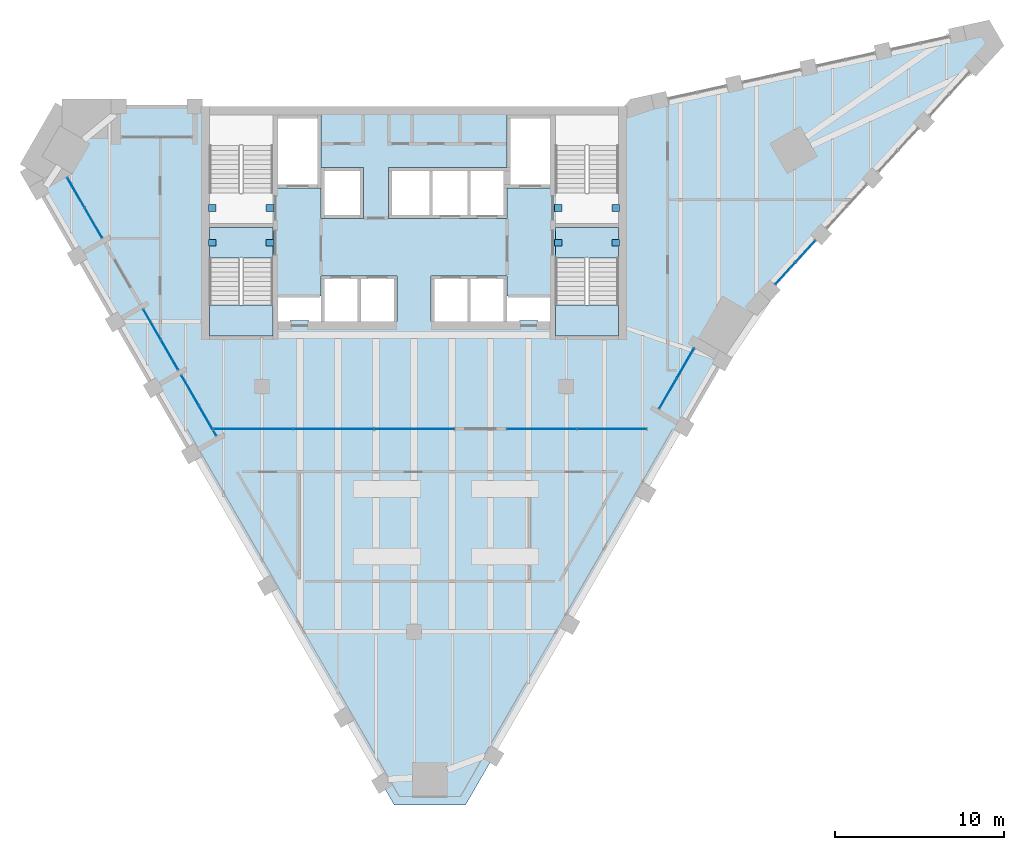
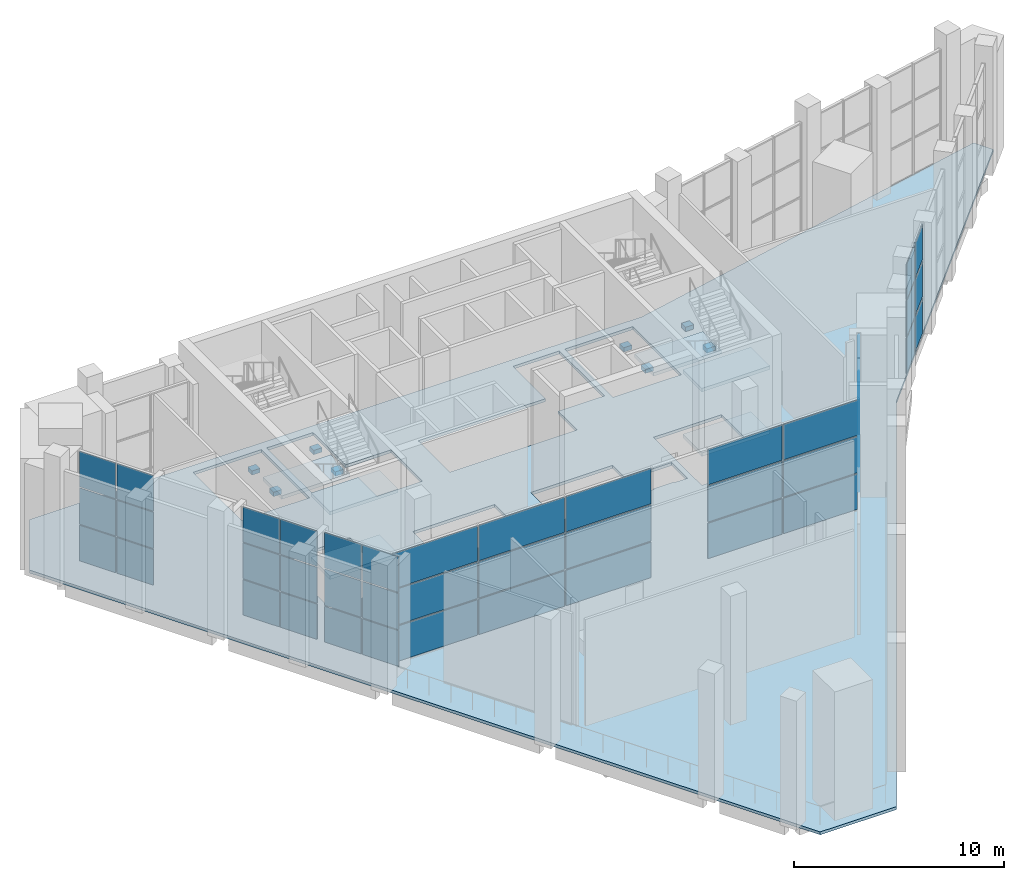
# One storey, part 7 of 14: 45 plates, 8 beams, 7 slabs, 9 elements without a shape of their own.
"""IFC4 building model written with IfcOpenShell, lengths in metres."""

import ifcopenshell
import ifcopenshell.guid

model = None  # the IFC model being written
_history = None  # IfcOwnerHistory: only IFC2X3 demands one
_inside = {}  # id of a spatial element -> (the spatial element, [elements in it])
_under = {}  # id of a project, library or spatial element -> (it, [spatial elements below it])
_declared = {}  # id of a project -> (the project, [libraries it declares])
_typed = {}  # id of a type object -> (the type object, [elements of that type])
_made_of = {}  # id of a material, layer set ... -> (it, [elements and type objects made of it])


def new_model(schema):
    """Start an empty IFC model of exactly this schema.

    Asked for "IFC4X3", IfcOpenShell would pick the latest addendum, in which some entities
    have other attributes; the version numbers below select the first issue.
    IFC2X3 requires an IfcOwnerHistory on every rooted entity: one is made here for all.
    """
    global model, _history
    if schema == "IFC4X3":
        model = ifcopenshell.file(schema_version=(4, 3, 0, 0))
    else:
        model = ifcopenshell.file(schema=schema)
    _inside.clear()
    _under.clear()
    _declared.clear()
    _typed.clear()
    _made_of.clear()
    _history = None
    if model.schema == "IFC2X3":
        org = make("IfcOrganization", Name="unknown")
        user = make(
            "IfcPersonAndOrganization",
            ThePerson=make("IfcPerson", FamilyName="unknown"),
            TheOrganization=org,
        )
        app = make(
            "IfcApplication",
            ApplicationDeveloper=org,
            Version="unknown",
            ApplicationFullName="unknown",
            ApplicationIdentifier="unknown",
        )
        _history = make(
            "IfcOwnerHistory",
            OwningUser=user,
            OwningApplication=app,
            ChangeAction="ADDED",
            CreationDate=0,
        )
    return model


def make(cls, **values):
    """One entity of the class cls with the attributes given. An attribute that is None is left unset."""
    return model.create_entity(
        cls, **{name: value for name, value in values.items() if value is not None}
    )


def rooted(cls, **values):
    """An entity with a GlobalId (a new one), such as an element, a storey or a relation."""
    return make(cls, GlobalId=ifcopenshell.guid.new(), OwnerHistory=_history, **values)


def si_unit(unit_type, name, prefix=None):
    """IfcSIUnit, for example si_unit("LENGTHUNIT", "METRE", prefix="MILLI")."""
    return make("IfcSIUnit", UnitType=unit_type, Prefix=prefix, Name=name)


def assignment(units):
    """IfcUnitAssignment: the units of a project."""
    return None if units is None else make("IfcUnitAssignment", Units=units)


def point(xyz):
    """IfcCartesianPoint."""
    return None if xyz is None else make("IfcCartesianPoint", Coordinates=xyz)


def direction(xyz):
    """IfcDirection."""
    return None if xyz is None else make("IfcDirection", DirectionRatios=xyz)


def frame(location, z_axis=None, x_axis=None):
    """IfcAxis2Placement3D, a coordinate frame: its origin and axes. An axis left out is left unset."""
    return make(
        "IfcAxis2Placement3D",
        Location=point(location),
        Axis=direction(z_axis),
        RefDirection=direction(x_axis),
    )


def frame_2d(location, x_axis=None):
    """IfcAxis2Placement2D, a coordinate frame in the plane: its origin and x axis."""
    return make(
        "IfcAxis2Placement2D", Location=point(location), RefDirection=direction(x_axis)
    )


def origin():
    """The frame at (0, 0, 0) with its axes left unset."""
    return frame((0.0, 0.0, 0.0))


def origin_2d():
    """The frame at (0, 0) in the plane with its x axis left unset."""
    return frame_2d((0.0, 0.0))


def place(relative_to, where):
    """IfcLocalPlacement: puts the frame where relative to a parent placement (None: the world)."""
    return make(
        "IfcLocalPlacement", PlacementRelTo=relative_to, RelativePlacement=where
    )


def context(
    kind, dimensions, precision=None, world=None, true_north=None, identifier=None
):
    """IfcGeometricRepresentationContext, for example the 3D "Model" context."""
    return make(
        "IfcGeometricRepresentationContext",
        ContextIdentifier=identifier,
        ContextType=kind,
        CoordinateSpaceDimension=dimensions,
        Precision=precision,
        WorldCoordinateSystem=world,
        TrueNorth=true_north,
    )


def subcontext(parent, identifier, kind, view, scale=None):
    """IfcGeometricRepresentationSubContext, for example "Body" below "Model"."""
    return make(
        "IfcGeometricRepresentationSubContext",
        ContextIdentifier=identifier,
        ContextType=kind,
        ParentContext=parent,
        TargetScale=scale,
        TargetView=view,
    )


def project(units=None, contexts=None):
    """IfcProject with its units and contexts."""
    return rooted(
        "IfcProject",
        Name="project",
        RepresentationContexts=contexts,
        UnitsInContext=assignment(units),
    )


def spatial(cls, under=None, at=None, **own):
    """A site, building, storey or space (cls), placed at a placement, below another one or the project."""
    s = rooted(cls, ObjectPlacement=at, **own)
    if under is not None:
        _under.setdefault(under.id(), (under, []))[1].append(s)
    return s


def polyline(points):
    """IfcPolyline through the points."""
    return make("IfcPolyline", Points=[point(p) for p in points])


def profile(cls, at=None, kind="AREA", **sizes):
    """A parametric profile (cls). Its sizes go by their IFC names, for example OverallWidth=200.0."""
    return make(cls, ProfileType=kind, Position=at, **sizes)


def rectangle(**sizes):
    """IfcRectangleProfileDef."""
    return profile("IfcRectangleProfileDef", **sizes)


def outline(outer, holes=None, kind="AREA"):
    """IfcArbitraryClosedProfileDef: a profile drawn as a closed curve; with holes, ...WithVoids."""
    if holes is None:
        return make("IfcArbitraryClosedProfileDef", ProfileType=kind, OuterCurve=outer)
    return make(
        "IfcArbitraryProfileDefWithVoids",
        ProfileType=kind,
        OuterCurve=outer,
        InnerCurves=holes,
    )


def extrude(swept, where, along, depth):
    """IfcExtrudedAreaSolid: the profile swept, set in the frame where, extruded along a direction by depth."""
    return make(
        "IfcExtrudedAreaSolid",
        SweptArea=swept,
        Position=where,
        ExtrudedDirection=direction(along),
        Depth=depth,
    )


def shape(context_of_items, identifier, shape_type, items):
    """IfcShapeRepresentation: the items that make up one representation, for example the "Body"."""
    return make(
        "IfcShapeRepresentation",
        ContextOfItems=context_of_items,
        RepresentationIdentifier=identifier,
        RepresentationType=shape_type,
        Items=items,
    )


def material(Name=None, Category=None):
    """IfcMaterial."""
    return make("IfcMaterial", Name=Name, Category=Category)


def layer(
    of_material, thickness, ventilated=None, Name=None, Category=None, Priority=None
):
    """IfcMaterialLayer: one layer of a wall or slab, of a material (None: an air gap)."""
    return make(
        "IfcMaterialLayer",
        Material=of_material,
        LayerThickness=thickness,
        IsVentilated=ventilated,
        Name=Name,
        Category=Category,
        Priority=Priority,
    )


def layer_set(layers, Name=None):
    """IfcMaterialLayerSet."""
    return make("IfcMaterialLayerSet", MaterialLayers=layers, LayerSetName=Name)


def material_profile(
    of_material, cross_section, Name=None, Category=None, Priority=None
):
    """IfcMaterialProfile: a cross section and its material."""
    return make(
        "IfcMaterialProfile",
        Name=Name,
        Material=of_material,
        Profile=cross_section,
        Priority=Priority,
        Category=Category,
    )


def profile_set(profiles, Name=None, composite=None):
    """IfcMaterialProfileSet."""
    return make(
        "IfcMaterialProfileSet",
        Name=Name,
        MaterialProfiles=profiles,
        CompositeProfile=composite,
    )


def made_of(thing, what):
    """Note that an element or type object is made of a material, layer set ...; save() writes the relation."""
    if what is not None:
        _made_of.setdefault(what.id(), (what, []))[1].append(thing)
    return thing


def type_object(cls, material=None, **own):
    """A type object (cls), such as IfcWallType, which elements share."""
    return made_of(rooted(cls, **own), material)


def element(
    cls,
    number,
    at=None,
    inside=None,
    cuts=None,
    type_object=None,
    material=None,
    context=None,
    identifier="Body",
    shape_type=None,
    held_by="IfcProductDefinitionShape",
    body=None,
    shapes=None,
    **own,
):
    """One element of the class cls, such as IfcWall. Its Tag is "e" and its number.

    at: its placement. inside: the storey or other place that contains it. cuts: it is an
    opening in that element (IfcRelVoidsElement). A single representation is given by context,
    identifier, shape_type and body (its items); several are given by shapes. held_by: the class
    of the entity that holds the representations. save() writes the other relations.
    """
    e = rooted(cls, Tag="e%d" % number, ObjectPlacement=at, **own)
    if body is not None:
        shapes = [shape(context, identifier, shape_type, body)]
    if shapes is not None:
        e.Representation = make(held_by, Representations=shapes)
    if inside is not None:
        _inside.setdefault(inside.id(), (inside, []))[1].append(e)
    if cuts is not None:
        rooted(
            "IfcRelVoidsElement", RelatingBuildingElement=cuts, RelatedOpeningElement=e
        )
    if type_object is not None:
        _typed.setdefault(type_object.id(), (type_object, []))[1].append(e)
    return made_of(e, material)


def aggregate(whole, parts):
    """IfcRelAggregates: a whole, such as a stair, and the parts it consists of."""
    return rooted("IfcRelAggregates", RelatingObject=whole, RelatedObjects=parts)


def save(model, path):
    """Write the relations noted so far, then the file.

    IfcRelAggregates (storeys below a building ...), IfcRelContainedInSpatialStructure (elements
    in a storey), IfcRelDefinesByType, IfcRelAssociatesMaterial and IfcRelDeclares: one each for
    every whole, place, type object, material and project.
    """
    for whole, parts in _under.values():
        aggregate(whole, parts)
    for where, things in _inside.values():
        rooted(
            "IfcRelContainedInSpatialStructure",
            RelatedElements=things,
            RelatingStructure=where,
        )
    for kind, things in _typed.values():
        rooted("IfcRelDefinesByType", RelatedObjects=things, RelatingType=kind)
    for what, things in _made_of.values():
        rooted("IfcRelAssociatesMaterial", RelatedObjects=things, RelatingMaterial=what)
    for by, libraries in _declared.values():
        rooted("IfcRelDeclares", RelatingContext=by, RelatedDefinitions=libraries)
    model.write(path)


model = new_model("IFC4")

# Units and contexts
model_context = context("Model", 3, precision=1e-05, world=origin(), true_north=direction((0.0, 1.0)))
body_context = subcontext(model_context, "Body", "Model", "MODEL_VIEW")
ifc_project = project(units=[si_unit("LENGTHUNIT", "METRE"), si_unit("AREAUNIT", "SQUARE_METRE"), si_unit("VOLUMEUNIT", "CUBIC_METRE"), si_unit("PLANEANGLEUNIT", "RADIAN"), si_unit("MASSUNIT", "GRAM", prefix="KILO")], contexts=[model_context])

# Site, building, storey
site_placement = place(None, origin())
site = spatial("IfcSite", under=ifc_project, at=site_placement, CompositionType="ELEMENT")
building_placement = place(site_placement, origin())
building = spatial("IfcBuilding", under=site, at=building_placement, Name="Calabash Gate Tower", CompositionType="ELEMENT")
storey_placement = place(building_placement, frame((0.0, 0.0, 295.0)))
storey = spatial("IfcBuildingStorey", under=building, at=storey_placement, Name="L71", CompositionType="ELEMENT", Elevation=295.0)

# Beams
ifc_material_1 = material(Name="Concrete C60/75", Category="concrete")
ifc_material_profile = material_profile(ifc_material_1, rectangle(XDim=0.39990234375, YDim=0.25, at=origin_2d()))
ifc_profile_set = profile_set([ifc_material_profile], Name="Concrete C60/75")
beam_type = type_object("IfcBeamType", Name="Landing corbel RC 400x250 Concrete C60/75", PredefinedType="BEAM", material=ifc_profile_set)
for number, where, z_axis, x_axis, name in (
    (1, (-12.14990234375, 13.052978515625, 3.424072265625), (1.0, 0.0, 0.0), (0.0, 1.0, 0.0), "Landing corbel ST1-L71/L2 west"),
    (2, (-8.300048828125, 13.052978515625, 3.424072265625), (-1.0, 0.0, 0.0), (0.0, -1.0, 0.0), "Landing corbel ST1-L71/L2 east"),
    (3, (-12.14990234375, 11.0029296875, 3.424072265625), (1.0, 0.0, 0.0), (0.0, 1.0, 0.0), "Landing corbel ST2-L71/L2 west"),
    (4, (-8.300048828125, 11.0029296875, 3.424072265625), (-1.0, 0.0, 0.0), (0.0, -1.0, 0.0), "Landing corbel ST2-L71/L2 east"),
    (5, (8.300048828125, 13.052978515625, 3.424072265625), (1.0, 0.0, 0.0), (0.0, 1.0, 0.0), "Landing corbel ST3-L71/L2 west"),
    (6, (12.14990234375, 13.052978515625, 3.424072265625), (-1.0, 0.0, 0.0), (0.0, -1.0, 0.0), "Landing corbel ST3-L71/L2 east"),
    (7, (8.300048828125, 11.0029296875, 3.424072265625), (1.0, 0.0, 0.0), (0.0, 1.0, 0.0), "Landing corbel ST4-L71/L2 west"),
    (8, (12.14990234375, 11.0029296875, 3.424072265625), (-1.0, 0.0, 0.0), (0.0, -1.0, 0.0), "Landing corbel ST4-L71/L2 east"),
):
    element("IfcBeam", number, at=place(storey_placement, frame(where, z_axis=z_axis, x_axis=x_axis)), inside=storey, type_object=beam_type, Name=name, PredefinedType="BEAM", context=body_context, shape_type="SweptSolid", body=[
        extrude(rectangle(XDim=0.39990234375, YDim=0.25, at=origin_2d()), origin(), (0.0, 0.0, 1.0), 0.449951171875),
    ])

# Slab
ifc_material_2 = material(Name="Concrete C40/50", Category="concrete")
ifc_layer_1 = layer(ifc_material_2, 0.169921875)
ifc_layer_set_1 = layer_set([ifc_layer_1], Name="Composite floor slab 170 Concrete C40/50")
slab_type_1 = type_object("IfcSlabType", Name="Composite floor slab 170 Concrete C40/50", PredefinedType="FLOOR", material=ifc_layer_set_1)
slab_1_placement = place(storey_placement, frame((0.0, 0.0, -0.169921875)))
element("IfcSlab", 9, at=slab_1_placement, inside=storey, type_object=slab_type_1, Name="Floor slab L71", PredefinedType="FLOOR", context=body_context, shape_type="SweptSolid", body=[
    extrude(outline(polyline([(-22.9111328125, 15.41796875), (-20.812744140625, 19.052490234375), (12.88134765625, 19.052490234375), (33.783935546875, 23.664794921875), (34.326904296875, 22.724365234375), (19.88134765625, 6.92822265625), (3.034423828125, -22.251953125), (-1.16259765625, -22.251953125), (-22.9111328125, 15.41796875)]), holes=[polyline([(-1.0, 9.052490234375), (-3.25, 9.052490234375), (-5.5, 9.052490234375), (-5.5, 7.8525390625), (-8.050048828125, 7.8525390625), (-8.050048828125, 6.3525390625), (-7.324951171875, 6.3525390625), (-7.324951171875, 6.402587890625), (-6.22509765625, 6.402587890625), (-6.22509765625, 6.3525390625), (-5.5, 6.3525390625), (-3.25, 6.3525390625), (-1.0, 6.3525390625), (-1.0, 9.052490234375)]), polyline([(3.25, 6.3525390625), (5.5, 6.3525390625), (6.22509765625, 6.3525390625), (6.22509765625, 6.402587890625), (7.324951171875, 6.402587890625), (7.324951171875, 6.3525390625), (8.050048828125, 6.3525390625), (8.050048828125, 7.8525390625), (5.5, 7.8525390625), (5.5, 9.052490234375), (3.25, 9.052490234375), (1.0, 9.052490234375), (1.0, 6.3525390625), (3.25, 6.3525390625)]), polyline([(-5.5, 14.252685546875), (-5.5, 12.45263671875), (-3.0, 12.45263671875), (-3.0, 15.45263671875), (-5.5, 15.45263671875), (-5.5, 18.552490234375), (-8.050048828125, 18.552490234375), (-8.050048828125, 14.252685546875), (-5.5, 14.252685546875)]), polyline([(1.0, 15.45263671875), (-1.5, 15.45263671875), (-1.5, 12.45263671875), (1.0, 12.45263671875), (3.25, 12.45263671875), (5.5, 12.45263671875), (5.5, 14.252685546875), (8.050048828125, 14.252685546875), (8.050048828125, 18.552490234375), (5.5, 18.552490234375), (5.5, 15.45263671875), (3.25, 15.45263671875), (1.0, 15.45263671875)]), polyline([(-8.35009765625, 18.552490234375), (-12.10009765625, 18.552490234375), (-12.10009765625, 13.95263671875), (-8.35009765625, 13.95263671875), (-8.35009765625, 18.552490234375)]), polyline([(-12.10009765625, 10.1025390625), (-12.10009765625, 5.502685546875), (-8.35009765625, 5.502685546875), (-8.35009765625, 10.1025390625), (-12.10009765625, 10.1025390625)]), polyline([(8.35009765625, 13.95263671875), (12.10009765625, 13.95263671875), (12.10009765625, 18.552490234375), (8.35009765625, 18.552490234375), (8.35009765625, 13.95263671875)]), polyline([(12.10009765625, 5.502685546875), (12.10009765625, 10.1025390625), (8.35009765625, 10.1025390625), (8.35009765625, 5.502685546875), (12.10009765625, 5.502685546875)])]), origin(), (0.0, 0.0, 1.0), 0.169921875),
])

# Curtain wall, plates
ifc_material_3 = material(Name="Anodised aluminium frame, bronze finish, clear laminated impact-rated glazing", Category="aluminium")
curtain_wall_type_1 = type_object("IfcCurtainWallType", Name="Curtain wall CWP portal screen", PredefinedType="NOTDEFINED", material=ifc_material_3)
curtain_wall_1_placement = place(storey_placement, origin())
curtain_wall_1 = element("IfcCurtainWall", 10, at=curtain_wall_1_placement, inside=storey, type_object=curtain_wall_type_1, Name="Curtain wall CWP L71 portal screen A", PredefinedType="NOTDEFINED")
ifc_material_4 = material(Name="Clear laminated impact-rated glazing", Category="glass")
ifc_layer_2 = layer(ifc_material_4, 0.0400390625)
ifc_layer_set_2 = layer_set([ifc_layer_2], Name="Glass panel CWP 40")
plate_type_1 = type_object("IfcPlateType", Name="Glass panel CWP 40", PredefinedType="CURTAIN_PANEL", material=ifc_layer_set_2)
plate_1_placement = place(storey_placement, frame((-9.517822265625, 0.0, 0.074951171875), z_axis=(0.0, 0.0, 1.0), x_axis=(1.0, 0.0, 0.0)))
plate_1 = element("IfcPlate", 11, at=plate_1_placement, type_object=plate_type_1, Name="CWP panel 1.1", PredefinedType="CURTAIN_PANEL", context=body_context, shape_type="SweptSolid", body=[
    extrude(rectangle(XDim=4.676513671875, YDim=0.0400390625, at=origin_2d()), origin(), (0.0, 0.0, 1.0), 2.05419921875),
])
plate_2_placement = place(storey_placement, frame((-9.517822265625, 0.0, 2.2041015625), z_axis=(0.0, 0.0, 1.0), x_axis=(1.0, 0.0, 0.0)))
plate_2 = element("IfcPlate", 12, at=plate_2_placement, type_object=plate_type_1, Name="CWP panel 1.2", PredefinedType="CURTAIN_PANEL", context=body_context, shape_type="SweptSolid", body=[
    extrude(rectangle(XDim=4.676513671875, YDim=0.0400390625, at=origin_2d()), origin(), (0.0, 0.0, 1.0), 2.091552734375),
])
plate_3_placement = place(storey_placement, frame((-9.517822265625, 0.0, 4.370849609375), z_axis=(0.0, 0.0, 1.0), x_axis=(1.0, 0.0, 0.0)))
plate_3 = element("IfcPlate", 13, at=plate_3_placement, type_object=plate_type_1, Name="CWP panel 1.3", PredefinedType="CURTAIN_PANEL", context=body_context, shape_type="SweptSolid", body=[
    extrude(rectangle(XDim=4.676513671875, YDim=0.0400390625, at=origin_2d()), origin(), (0.0, 0.0, 1.0), 2.05419921875),
])
plate_4_placement = place(storey_placement, frame((-4.74755859375, 0.0, 0.074951171875), z_axis=(0.0, 0.0, 1.0), x_axis=(1.0, 0.0, 0.0)))
plate_4 = element("IfcPlate", 14, at=plate_4_placement, type_object=plate_type_1, Name="CWP panel 2.1", PredefinedType="CURTAIN_PANEL", context=body_context, shape_type="SweptSolid", body=[
    extrude(rectangle(XDim=4.714111328125, YDim=0.0400390625, at=origin_2d()), origin(), (0.0, 0.0, 1.0), 2.05419921875),
])
plate_5_placement = place(storey_placement, frame((-4.74755859375, 0.0, 2.2041015625), z_axis=(0.0, 0.0, 1.0), x_axis=(1.0, 0.0, 0.0)))
plate_5 = element("IfcPlate", 15, at=plate_5_placement, type_object=plate_type_1, Name="CWP panel 2.2", PredefinedType="CURTAIN_PANEL", context=body_context, shape_type="SweptSolid", body=[
    extrude(rectangle(XDim=4.714111328125, YDim=0.0400390625, at=origin_2d()), origin(), (0.0, 0.0, 1.0), 2.091552734375),
])
plate_6_placement = place(storey_placement, frame((-4.74755859375, 0.0, 4.370849609375), z_axis=(0.0, 0.0, 1.0), x_axis=(1.0, 0.0, 0.0)))
plate_6 = element("IfcPlate", 16, at=plate_6_placement, type_object=plate_type_1, Name="CWP panel 2.3", PredefinedType="CURTAIN_PANEL", context=body_context, shape_type="SweptSolid", body=[
    extrude(rectangle(XDim=4.714111328125, YDim=0.0400390625, at=origin_2d()), origin(), (0.0, 0.0, 1.0), 2.05419921875),
])
plate_7_placement = place(storey_placement, frame((0.022705078125, 0.0, 0.074951171875), z_axis=(0.0, 0.0, 1.0), x_axis=(1.0, 0.0, 0.0)))
plate_7 = element("IfcPlate", 17, at=plate_7_placement, type_object=plate_type_1, Name="CWP panel 3.1", PredefinedType="CURTAIN_PANEL", context=body_context, shape_type="SweptSolid", body=[
    extrude(rectangle(XDim=4.676513671875, YDim=0.0400390625, at=origin_2d()), origin(), (0.0, 0.0, 1.0), 2.05419921875),
])
plate_8_placement = place(storey_placement, frame((0.022705078125, 0.0, 2.2041015625), z_axis=(0.0, 0.0, 1.0), x_axis=(1.0, 0.0, 0.0)))
plate_8 = element("IfcPlate", 18, at=plate_8_placement, type_object=plate_type_1, Name="CWP panel 3.2", PredefinedType="CURTAIN_PANEL", context=body_context, shape_type="SweptSolid", body=[
    extrude(rectangle(XDim=4.676513671875, YDim=0.0400390625, at=origin_2d()), origin(), (0.0, 0.0, 1.0), 2.091552734375),
])
plate_9_placement = place(storey_placement, frame((0.022705078125, 0.0, 4.370849609375), z_axis=(0.0, 0.0, 1.0), x_axis=(1.0, 0.0, 0.0)))
plate_9 = element("IfcPlate", 19, at=plate_9_placement, type_object=plate_type_1, Name="CWP panel 3.3", PredefinedType="CURTAIN_PANEL", context=body_context, shape_type="SweptSolid", body=[
    extrude(rectangle(XDim=4.676513671875, YDim=0.0400390625, at=origin_2d()), origin(), (0.0, 0.0, 1.0), 2.05419921875),
])
aggregate(curtain_wall_1, [plate_1, plate_2, plate_3, plate_4, plate_5, plate_6, plate_7, plate_8, plate_9])

curtain_wall_2_placement = place(storey_placement, origin())
curtain_wall_2 = element("IfcCurtainWall", 20, at=curtain_wall_2_placement, inside=storey, type_object=curtain_wall_type_1, Name="Curtain wall CWP L71 portal screen B", PredefinedType="NOTDEFINED")
plate_10_placement = place(storey_placement, frame((7.54638671875, 0.0, 0.074951171875), z_axis=(0.0, 0.0, 1.0), x_axis=(1.0, 0.0, 0.0)))
plate_10 = element("IfcPlate", 21, at=plate_10_placement, type_object=plate_type_1, Name="CWP panel 1.1", PredefinedType="CURTAIN_PANEL", context=body_context, shape_type="SweptSolid", body=[
    extrude(rectangle(XDim=4.071044921875, YDim=0.0400390625, at=origin_2d()), origin(), (0.0, 0.0, 1.0), 2.05419921875),
])
plate_11_placement = place(storey_placement, frame((7.54638671875, 0.0, 2.2041015625), z_axis=(0.0, 0.0, 1.0), x_axis=(1.0, 0.0, 0.0)))
plate_11 = element("IfcPlate", 22, at=plate_11_placement, type_object=plate_type_1, Name="CWP panel 1.2", PredefinedType="CURTAIN_PANEL", context=body_context, shape_type="SweptSolid", body=[
    extrude(rectangle(XDim=4.071044921875, YDim=0.0400390625, at=origin_2d()), origin(), (0.0, 0.0, 1.0), 2.091552734375),
])
plate_12_placement = place(storey_placement, frame((7.54638671875, 0.0, 4.370849609375), z_axis=(0.0, 0.0, 1.0), x_axis=(1.0, 0.0, 0.0)))
plate_12 = element("IfcPlate", 23, at=plate_12_placement, type_object=plate_type_1, Name="CWP panel 1.3", PredefinedType="CURTAIN_PANEL", context=body_context, shape_type="SweptSolid", body=[
    extrude(rectangle(XDim=4.071044921875, YDim=0.0400390625, at=origin_2d()), origin(), (0.0, 0.0, 1.0), 2.05419921875),
])
plate_13_placement = place(storey_placement, frame((11.6923828125, 0.0, 0.074951171875), z_axis=(0.0, 0.0, 1.0), x_axis=(1.0, 0.0, 0.0)))
plate_13 = element("IfcPlate", 24, at=plate_13_placement, type_object=plate_type_1, Name="CWP panel 2.1", PredefinedType="CURTAIN_PANEL", context=body_context, shape_type="SweptSolid", body=[
    extrude(rectangle(XDim=4.071044921875, YDim=0.0400390625, at=origin_2d()), origin(), (0.0, 0.0, 1.0), 2.05419921875),
])
plate_14_placement = place(storey_placement, frame((11.6923828125, 0.0, 2.2041015625), z_axis=(0.0, 0.0, 1.0), x_axis=(1.0, 0.0, 0.0)))
plate_14 = element("IfcPlate", 25, at=plate_14_placement, type_object=plate_type_1, Name="CWP panel 2.2", PredefinedType="CURTAIN_PANEL", context=body_context, shape_type="SweptSolid", body=[
    extrude(rectangle(XDim=4.071044921875, YDim=0.0400390625, at=origin_2d()), origin(), (0.0, 0.0, 1.0), 2.091552734375),
])
plate_15_placement = place(storey_placement, frame((11.6923828125, 0.0, 4.370849609375), z_axis=(0.0, 0.0, 1.0), x_axis=(1.0, 0.0, 0.0)))
plate_15 = element("IfcPlate", 26, at=plate_15_placement, type_object=plate_type_1, Name="CWP panel 2.3", PredefinedType="CURTAIN_PANEL", context=body_context, shape_type="SweptSolid", body=[
    extrude(rectangle(XDim=4.071044921875, YDim=0.0400390625, at=origin_2d()), origin(), (0.0, 0.0, 1.0), 2.05419921875),
])
aggregate(curtain_wall_2, [plate_10, plate_11, plate_12, plate_13, plate_14, plate_15])

ifc_material_5 = material(Name="Anodised aluminium frame, bronze finish, clear laminated low-emissivity glazing", Category="aluminium")
curtain_wall_type_2 = type_object("IfcCurtainWallType", Name="Curtain wall CWS sky lobby wall", PredefinedType="NOTDEFINED", material=ifc_material_5)
curtain_wall_3_placement = place(storey_placement, origin())
curtain_wall_3 = element("IfcCurtainWall", 27, at=curtain_wall_3_placement, inside=storey, type_object=curtain_wall_type_2, Name="Curtain wall CWS L71 SW0.1", PredefinedType="NOTDEFINED")
ifc_material_6 = material(Name="Clear laminated low-emissivity glazing", Category="glass")
ifc_layer_3 = layer(ifc_material_6, 0.035888671875)
ifc_layer_set_3 = layer_set([ifc_layer_3], Name="Glass panel CWS 36")
plate_type_2 = type_object("IfcPlateType", Name="Glass panel CWS 36", PredefinedType="CURTAIN_PANEL", material=ifc_layer_set_3)
plate_16_placement = place(storey_placement, frame((-19.994873046875, 13.966796875, 0.06494140625), z_axis=(0.0, 0.0, 1.0), x_axis=(0.499999968652, -0.866025421884, 0.0)))
plate_16 = element("IfcPlate", 28, at=plate_16_placement, type_object=plate_type_2, Name="CWS panel 1.1", PredefinedType="CURTAIN_PANEL", context=body_context, shape_type="SweptSolid", body=[
    extrude(rectangle(XDim=2.00244140625, YDim=0.035888671875, at=origin_2d()), origin(), (0.0, 0.0, 1.0), 2.069091796875),
])
plate_17_placement = place(storey_placement, frame((-19.994873046875, 13.966796875, 2.19921875), z_axis=(0.0, 0.0, 1.0), x_axis=(0.499999968652, -0.866025421884, 0.0)))
plate_17 = element("IfcPlate", 29, at=plate_17_placement, type_object=plate_type_2, Name="CWS panel 1.2", PredefinedType="CURTAIN_PANEL", context=body_context, shape_type="SweptSolid", body=[
    extrude(rectangle(XDim=2.00244140625, YDim=0.035888671875, at=origin_2d()), origin(), (0.0, 0.0, 1.0), 2.1015625),
])
plate_18_placement = place(storey_placement, frame((-19.994873046875, 13.966796875, 4.36572265625), z_axis=(0.0, 0.0, 1.0), x_axis=(0.499999968652, -0.866025421884, 0.0)))
plate_18 = element("IfcPlate", 30, at=plate_18_placement, type_object=plate_type_2, Name="CWS panel 1.3", PredefinedType="CURTAIN_PANEL", context=body_context, shape_type="SweptSolid", body=[
    extrude(rectangle(XDim=2.00244140625, YDim=0.035888671875, at=origin_2d()), origin(), (0.0, 0.0, 1.0), 2.069091796875),
])
plate_19_placement = place(storey_placement, frame((-18.961181640625, 12.17626953125, 0.06494140625), z_axis=(0.0, 0.0, 1.0), x_axis=(0.499999968652, -0.866025421884, 0.0)))
plate_19 = element("IfcPlate", 31, at=plate_19_placement, type_object=plate_type_2, Name="CWS panel 2.1", PredefinedType="CURTAIN_PANEL", context=body_context, shape_type="SweptSolid", body=[
    extrude(rectangle(XDim=2.00244140625, YDim=0.035888671875, at=origin_2d()), origin(), (0.0, 0.0, 1.0), 2.069091796875),
])
plate_20_placement = place(storey_placement, frame((-18.961181640625, 12.17626953125, 2.19921875), z_axis=(0.0, 0.0, 1.0), x_axis=(0.499999968652, -0.866025421884, 0.0)))
plate_20 = element("IfcPlate", 32, at=plate_20_placement, type_object=plate_type_2, Name="CWS panel 2.2", PredefinedType="CURTAIN_PANEL", context=body_context, shape_type="SweptSolid", body=[
    extrude(rectangle(XDim=2.00244140625, YDim=0.035888671875, at=origin_2d()), origin(), (0.0, 0.0, 1.0), 2.1015625),
])
plate_21_placement = place(storey_placement, frame((-18.961181640625, 12.17626953125, 4.36572265625), z_axis=(0.0, 0.0, 1.0), x_axis=(0.499999968652, -0.866025421884, 0.0)))
plate_21 = element("IfcPlate", 33, at=plate_21_placement, type_object=plate_type_2, Name="CWS panel 2.3", PredefinedType="CURTAIN_PANEL", context=body_context, shape_type="SweptSolid", body=[
    extrude(rectangle(XDim=2.00244140625, YDim=0.035888671875, at=origin_2d()), origin(), (0.0, 0.0, 1.0), 2.069091796875),
])
aggregate(curtain_wall_3, [plate_16, plate_17, plate_18, plate_19, plate_20, plate_21])

curtain_wall_4_placement = place(storey_placement, origin())
curtain_wall_4 = element("IfcCurtainWall", 34, at=curtain_wall_4_placement, inside=storey, type_object=curtain_wall_type_2, Name="Curtain wall CWS L71 SW0.3", PredefinedType="NOTDEFINED")
plate_22_placement = place(storey_placement, frame((-15.494873046875, 6.172607421875, 0.06494140625), z_axis=(0.0, 0.0, 1.0), x_axis=(0.499999968652, -0.866025421884, 0.0)))
plate_22 = element("IfcPlate", 35, at=plate_22_placement, type_object=plate_type_2, Name="CWS panel 1.1", PredefinedType="CURTAIN_PANEL", context=body_context, shape_type="SweptSolid", body=[
    extrude(rectangle(XDim=2.00244140625, YDim=0.035888671875, at=origin_2d()), origin(), (0.0, 0.0, 1.0), 2.04248046875),
])
plate_23_placement = place(storey_placement, frame((-15.494873046875, 6.172607421875, 2.17236328125), z_axis=(0.0, 0.0, 1.0), x_axis=(0.499999968652, -0.866025421884, 0.0)))
plate_23 = element("IfcPlate", 36, at=plate_23_placement, type_object=plate_type_2, Name="CWS panel 1.2", PredefinedType="CURTAIN_PANEL", context=body_context, shape_type="SweptSolid", body=[
    extrude(rectangle(XDim=2.00244140625, YDim=0.035888671875, at=origin_2d()), origin(), (0.0, 0.0, 1.0), 2.074951171875),
])
plate_24_placement = place(storey_placement, frame((-15.494873046875, 6.172607421875, 4.3125), z_axis=(0.0, 0.0, 1.0), x_axis=(0.499999968652, -0.866025421884, 0.0)))
plate_24 = element("IfcPlate", 37, at=plate_24_placement, type_object=plate_type_2, Name="CWS panel 1.3", PredefinedType="CURTAIN_PANEL", context=body_context, shape_type="SweptSolid", body=[
    extrude(rectangle(XDim=2.00244140625, YDim=0.035888671875, at=origin_2d()), origin(), (0.0, 0.0, 1.0), 2.04248046875),
])
plate_25_placement = place(storey_placement, frame((-14.461181640625, 4.382080078125, 0.06494140625), z_axis=(0.0, 0.0, 1.0), x_axis=(0.499999968652, -0.866025421884, 0.0)))
plate_25 = element("IfcPlate", 38, at=plate_25_placement, type_object=plate_type_2, Name="CWS panel 2.1", PredefinedType="CURTAIN_PANEL", context=body_context, shape_type="SweptSolid", body=[
    extrude(rectangle(XDim=2.00244140625, YDim=0.035888671875, at=origin_2d()), origin(), (0.0, 0.0, 1.0), 2.04248046875),
])
plate_26_placement = place(storey_placement, frame((-14.461181640625, 4.382080078125, 2.17236328125), z_axis=(0.0, 0.0, 1.0), x_axis=(0.499999968652, -0.866025421884, 0.0)))
plate_26 = element("IfcPlate", 39, at=plate_26_placement, type_object=plate_type_2, Name="CWS panel 2.2", PredefinedType="CURTAIN_PANEL", context=body_context, shape_type="SweptSolid", body=[
    extrude(rectangle(XDim=2.00244140625, YDim=0.035888671875, at=origin_2d()), origin(), (0.0, 0.0, 1.0), 2.074951171875),
])
plate_27_placement = place(storey_placement, frame((-14.461181640625, 4.382080078125, 4.3125), z_axis=(0.0, 0.0, 1.0), x_axis=(0.499999968652, -0.866025421884, 0.0)))
plate_27 = element("IfcPlate", 40, at=plate_27_placement, type_object=plate_type_2, Name="CWS panel 2.3", PredefinedType="CURTAIN_PANEL", context=body_context, shape_type="SweptSolid", body=[
    extrude(rectangle(XDim=2.00244140625, YDim=0.035888671875, at=origin_2d()), origin(), (0.0, 0.0, 1.0), 2.04248046875),
])
aggregate(curtain_wall_4, [plate_22, plate_23, plate_24, plate_25, plate_26, plate_27])

curtain_wall_5_placement = place(storey_placement, origin())
curtain_wall_5 = element("IfcCurtainWall", 41, at=curtain_wall_5_placement, inside=storey, type_object=curtain_wall_type_2, Name="Curtain wall CWS L71 SW0.4", PredefinedType="NOTDEFINED")
plate_28_placement = place(storey_placement, frame((-13.244873046875, 2.275390625, 0.06494140625), z_axis=(0.0, 0.0, 1.0), x_axis=(0.500000071751, -0.866025362359, 0.0)))
plate_28 = element("IfcPlate", 42, at=plate_28_placement, type_object=plate_type_2, Name="CWS panel 1.1", PredefinedType="CURTAIN_PANEL", context=body_context, shape_type="SweptSolid", body=[
    extrude(rectangle(XDim=2.00244140625, YDim=0.035888671875, at=origin_2d()), origin(), (0.0, 0.0, 1.0), 2.069091796875),
])
plate_29_placement = place(storey_placement, frame((-13.244873046875, 2.275390625, 2.19921875), z_axis=(0.0, 0.0, 1.0), x_axis=(0.500000071751, -0.866025362359, 0.0)))
plate_29 = element("IfcPlate", 43, at=plate_29_placement, type_object=plate_type_2, Name="CWS panel 1.2", PredefinedType="CURTAIN_PANEL", context=body_context, shape_type="SweptSolid", body=[
    extrude(rectangle(XDim=2.00244140625, YDim=0.035888671875, at=origin_2d()), origin(), (0.0, 0.0, 1.0), 2.1015625),
])
plate_30_placement = place(storey_placement, frame((-13.244873046875, 2.275390625, 4.36572265625), z_axis=(0.0, 0.0, 1.0), x_axis=(0.500000071751, -0.866025362359, 0.0)))
plate_30 = element("IfcPlate", 44, at=plate_30_placement, type_object=plate_type_2, Name="CWS panel 1.3", PredefinedType="CURTAIN_PANEL", context=body_context, shape_type="SweptSolid", body=[
    extrude(rectangle(XDim=2.00244140625, YDim=0.035888671875, at=origin_2d()), origin(), (0.0, 0.0, 1.0), 2.069091796875),
])
plate_31_placement = place(storey_placement, frame((-12.211181640625, 0.48486328125, 0.06494140625), z_axis=(0.0, 0.0, 1.0), x_axis=(0.500000071751, -0.866025362359, 0.0)))
plate_31 = element("IfcPlate", 45, at=plate_31_placement, type_object=plate_type_2, Name="CWS panel 2.1", PredefinedType="CURTAIN_PANEL", context=body_context, shape_type="SweptSolid", body=[
    extrude(rectangle(XDim=2.00244140625, YDim=0.035888671875, at=origin_2d()), origin(), (0.0, 0.0, 1.0), 2.069091796875),
])
plate_32_placement = place(storey_placement, frame((-12.211181640625, 0.48486328125, 2.19921875), z_axis=(0.0, 0.0, 1.0), x_axis=(0.500000071751, -0.866025362359, 0.0)))
plate_32 = element("IfcPlate", 46, at=plate_32_placement, type_object=plate_type_2, Name="CWS panel 2.2", PredefinedType="CURTAIN_PANEL", context=body_context, shape_type="SweptSolid", body=[
    extrude(rectangle(XDim=2.00244140625, YDim=0.035888671875, at=origin_2d()), origin(), (0.0, 0.0, 1.0), 2.1015625),
])
plate_33_placement = place(storey_placement, frame((-12.211181640625, 0.48486328125, 4.36572265625), z_axis=(0.0, 0.0, 1.0), x_axis=(0.500000071751, -0.866025362359, 0.0)))
plate_33 = element("IfcPlate", 47, at=plate_33_placement, type_object=plate_type_2, Name="CWS panel 2.3", PredefinedType="CURTAIN_PANEL", context=body_context, shape_type="SweptSolid", body=[
    extrude(rectangle(XDim=2.00244140625, YDim=0.035888671875, at=origin_2d()), origin(), (0.0, 0.0, 1.0), 2.069091796875),
])
aggregate(curtain_wall_5, [plate_28, plate_29, plate_30, plate_31, plate_32, plate_33])

curtain_wall_6_placement = place(storey_placement, origin())
curtain_wall_6 = element("IfcCurtainWall", 48, at=curtain_wall_6_placement, inside=storey, type_object=curtain_wall_type_2, Name="Curtain wall CWS L71 SE2.6", PredefinedType="NOTDEFINED")
plate_34_placement = place(storey_placement, frame((15.007080078125, 2.085693359375, 0.06494140625), z_axis=(0.0, 0.0, 1.0), x_axis=(0.499999968652, 0.866025421884, 0.0)))
plate_34 = element("IfcPlate", 49, at=plate_34_placement, type_object=plate_type_2, Name="CWS panel 1.1", PredefinedType="CURTAIN_PANEL", context=body_context, shape_type="SweptSolid", body=[
    extrude(rectangle(XDim=2.00244140625, YDim=0.035888671875, at=origin_2d()), origin(), (0.0, 0.0, 1.0), 2.04248046875),
])
plate_35_placement = place(storey_placement, frame((15.007080078125, 2.085693359375, 2.17236328125), z_axis=(0.0, 0.0, 1.0), x_axis=(0.499999968652, 0.866025421884, 0.0)))
plate_35 = element("IfcPlate", 50, at=plate_35_placement, type_object=plate_type_2, Name="CWS panel 1.2", PredefinedType="CURTAIN_PANEL", context=body_context, shape_type="SweptSolid", body=[
    extrude(rectangle(XDim=2.00244140625, YDim=0.035888671875, at=origin_2d()), origin(), (0.0, 0.0, 1.0), 2.074951171875),
])
plate_36_placement = place(storey_placement, frame((15.007080078125, 2.085693359375, 4.3125), z_axis=(0.0, 0.0, 1.0), x_axis=(0.499999968652, 0.866025421884, 0.0)))
plate_36 = element("IfcPlate", 51, at=plate_36_placement, type_object=plate_type_2, Name="CWS panel 1.3", PredefinedType="CURTAIN_PANEL", context=body_context, shape_type="SweptSolid", body=[
    extrude(rectangle(XDim=2.00244140625, YDim=0.035888671875, at=origin_2d()), origin(), (0.0, 0.0, 1.0), 2.04248046875),
])
plate_37_placement = place(storey_placement, frame((16.041015625, 3.876220703125, 0.06494140625), z_axis=(0.0, 0.0, 1.0), x_axis=(0.499999968652, 0.866025421884, 0.0)))
plate_37 = element("IfcPlate", 52, at=plate_37_placement, type_object=plate_type_2, Name="CWS panel 2.1", PredefinedType="CURTAIN_PANEL", context=body_context, shape_type="SweptSolid", body=[
    extrude(rectangle(XDim=2.00244140625, YDim=0.035888671875, at=origin_2d()), origin(), (0.0, 0.0, 1.0), 2.04248046875),
])
plate_38_placement = place(storey_placement, frame((16.041015625, 3.876220703125, 2.17236328125), z_axis=(0.0, 0.0, 1.0), x_axis=(0.499999968652, 0.866025421884, 0.0)))
plate_38 = element("IfcPlate", 53, at=plate_38_placement, type_object=plate_type_2, Name="CWS panel 2.2", PredefinedType="CURTAIN_PANEL", context=body_context, shape_type="SweptSolid", body=[
    extrude(rectangle(XDim=2.00244140625, YDim=0.035888671875, at=origin_2d()), origin(), (0.0, 0.0, 1.0), 2.074951171875),
])
plate_39_placement = place(storey_placement, frame((16.041015625, 3.876220703125, 4.3125), z_axis=(0.0, 0.0, 1.0), x_axis=(0.499999968652, 0.866025421884, 0.0)))
plate_39 = element("IfcPlate", 54, at=plate_39_placement, type_object=plate_type_2, Name="CWS panel 2.3", PredefinedType="CURTAIN_PANEL", context=body_context, shape_type="SweptSolid", body=[
    extrude(rectangle(XDim=2.00244140625, YDim=0.035888671875, at=origin_2d()), origin(), (0.0, 0.0, 1.0), 2.04248046875),
])
aggregate(curtain_wall_6, [plate_34, plate_35, plate_36, plate_37, plate_38, plate_39])

ifc_material_7 = material(Name="Anodised aluminium frame, bronze finish, clear laminated impact-rated glazing", Category="aluminium")
curtain_wall_type_3 = type_object("IfcCurtainWallType", Name="Curtain wall CWW wedge prow wall", PredefinedType="NOTDEFINED", material=ifc_material_7)
curtain_wall_7_placement = place(storey_placement, origin())
curtain_wall_7 = element("IfcCurtainWall", 55, at=curtain_wall_7_placement, inside=storey, type_object=curtain_wall_type_3, Name="Curtain wall CWW L71 wedge3.1", PredefinedType="NOTDEFINED")
ifc_material_8 = material(Name="Clear laminated impact-rated glazing", Category="glass")
ifc_layer_4 = layer(ifc_material_8, 0.0400390625)
ifc_layer_set_4 = layer_set([ifc_layer_4], Name="Glass panel CWW 40")
plate_type_3 = type_object("IfcPlateType", Name="Glass panel CWW 40", PredefinedType="CURTAIN_PANEL", material=ifc_layer_set_4)
plate_40_placement = place(storey_placement, frame((21.953369140625, 9.19384765625, 0.06982421875), z_axis=(0.0, 0.0, 1.0), x_axis=(0.674855908125, 0.737949526234, 0.0)))
plate_40 = element("IfcPlate", 56, at=plate_40_placement, type_object=plate_type_3, Name="CWW panel 1.1", PredefinedType="CURTAIN_PANEL", context=body_context, shape_type="SweptSolid", body=[
    extrude(rectangle(XDim=1.695068359375, YDim=0.0400390625, at=origin_2d()), origin(), (0.0, 0.0, 1.0), 2.061767578125),
])
plate_41_placement = place(storey_placement, frame((21.953369140625, 9.19384765625, 2.20166015625), z_axis=(0.0, 0.0, 1.0), x_axis=(0.674855908125, 0.737949526234, 0.0)))
plate_41 = element("IfcPlate", 57, at=plate_41_placement, type_object=plate_type_3, Name="CWW panel 1.2", PredefinedType="CURTAIN_PANEL", context=body_context, shape_type="SweptSolid", body=[
    extrude(rectangle(XDim=1.695068359375, YDim=0.0400390625, at=origin_2d()), origin(), (0.0, 0.0, 1.0), 2.0966796875),
])
plate_42_placement = place(storey_placement, frame((21.953369140625, 9.19384765625, 4.3681640625), z_axis=(0.0, 0.0, 1.0), x_axis=(0.674855908125, 0.737949526234, 0.0)))
plate_42 = element("IfcPlate", 58, at=plate_42_placement, type_object=plate_type_3, Name="CWW panel 1.3", PredefinedType="CURTAIN_PANEL", context=body_context, shape_type="SweptSolid", body=[
    extrude(rectangle(XDim=1.695068359375, YDim=0.0400390625, at=origin_2d()), origin(), (0.0, 0.0, 1.0), 2.061767578125),
])
plate_43_placement = place(storey_placement, frame((23.14453125, 10.496337890625, 0.06982421875), z_axis=(0.0, 0.0, 1.0), x_axis=(0.674855908125, 0.737949526234, 0.0)))
plate_43 = element("IfcPlate", 59, at=plate_43_placement, type_object=plate_type_3, Name="CWW panel 2.1", PredefinedType="CURTAIN_PANEL", context=body_context, shape_type="SweptSolid", body=[
    extrude(rectangle(XDim=1.695068359375, YDim=0.0400390625, at=origin_2d()), origin(), (0.0, 0.0, 1.0), 2.061767578125),
])
plate_44_placement = place(storey_placement, frame((23.14453125, 10.496337890625, 2.20166015625), z_axis=(0.0, 0.0, 1.0), x_axis=(0.674855908125, 0.737949526234, 0.0)))
plate_44 = element("IfcPlate", 60, at=plate_44_placement, type_object=plate_type_3, Name="CWW panel 2.2", PredefinedType="CURTAIN_PANEL", context=body_context, shape_type="SweptSolid", body=[
    extrude(rectangle(XDim=1.695068359375, YDim=0.0400390625, at=origin_2d()), origin(), (0.0, 0.0, 1.0), 2.0966796875),
])
plate_45_placement = place(storey_placement, frame((23.14453125, 10.496337890625, 4.3681640625), z_axis=(0.0, 0.0, 1.0), x_axis=(0.674855908125, 0.737949526234, 0.0)))
plate_45 = element("IfcPlate", 61, at=plate_45_placement, type_object=plate_type_3, Name="CWW panel 2.3", PredefinedType="CURTAIN_PANEL", context=body_context, shape_type="SweptSolid", body=[
    extrude(rectangle(XDim=1.695068359375, YDim=0.0400390625, at=origin_2d()), origin(), (0.0, 0.0, 1.0), 2.061767578125),
])
aggregate(curtain_wall_7, [plate_40, plate_41, plate_42, plate_43, plate_44, plate_45])

# Stair, slabs
ifc_material_9 = material(Name="Concrete C40/50", Category="concrete")
stair_type = type_object("IfcStairType", Name="Exit stair 44 risers of 170.5 mm", PredefinedType="HALF_TURN_STAIR", material=ifc_material_9)
stair_1_placement = place(storey_placement, origin())
stair_1 = element("IfcStair", 62, at=stair_1_placement, inside=storey, type_object=stair_type, Name="L71 Exit stair ST2", PredefinedType="HALF_TURN_STAIR")
ifc_material_10 = material(Name="Concrete C40/50", Category="concrete")
ifc_layer_5 = layer(ifc_material_10, 0.199951171875)
ifc_layer_set_5 = layer_set([ifc_layer_5], Name="Stair landing SL200")
slab_type_2 = type_object("IfcSlabType", Name="Stair landing SL200", PredefinedType="LANDING", material=ifc_layer_set_5)
slab_2_placement = place(storey_placement, frame((0.0, 0.0, 1.675048828125)))
slab_2 = element("IfcSlab", 63, at=slab_2_placement, type_object=slab_type_2, Name="ST2 landing 1", PredefinedType="LANDING", context=body_context, shape_type="SweptSolid", body=[
    extrude(outline(polyline([(-12.10009765625, 7.3125), (-12.10009765625, 5.502685546875), (-8.35009765625, 5.502685546875), (-8.35009765625, 7.3125), (-12.10009765625, 7.3125)])), origin(), (0.0, 0.0, 1.0), 0.199951171875),
])
slab_3_placement = place(storey_placement, frame((0.0, 0.0, 3.550048828125)))
slab_3 = element("IfcSlab", 64, at=slab_3_placement, type_object=slab_type_2, Name="ST2 landing 2", PredefinedType="LANDING", context=body_context, shape_type="SweptSolid", body=[
    extrude(outline(polyline([(-12.10009765625, 11.902587890625), (-12.10009765625, 10.1025390625), (-8.35009765625, 10.1025390625), (-8.35009765625, 11.902587890625), (-12.10009765625, 11.902587890625)])), origin(), (0.0, 0.0, 1.0), 0.199951171875),
])
slab_4_placement = place(storey_placement, frame((0.0, 0.0, 5.425048828125)))
slab_4 = element("IfcSlab", 65, at=slab_4_placement, type_object=slab_type_2, Name="ST2 landing 3", PredefinedType="LANDING", context=body_context, shape_type="SweptSolid", body=[
    extrude(outline(polyline([(-12.10009765625, 7.3125), (-12.10009765625, 5.502685546875), (-8.35009765625, 5.502685546875), (-8.35009765625, 7.3125), (-12.10009765625, 7.3125)])), origin(), (0.0, 0.0, 1.0), 0.199951171875),
])
aggregate(stair_1, [slab_2, slab_3, slab_4])

stair_2_placement = place(storey_placement, origin())
stair_2 = element("IfcStair", 66, at=stair_2_placement, inside=storey, type_object=stair_type, Name="L71 Exit stair ST4", PredefinedType="HALF_TURN_STAIR")
slab_5_placement = place(storey_placement, frame((0.0, 0.0, 1.675048828125)))
slab_5 = element("IfcSlab", 67, at=slab_5_placement, type_object=slab_type_2, Name="ST4 landing 1", PredefinedType="LANDING", context=body_context, shape_type="SweptSolid", body=[
    extrude(outline(polyline([(8.35009765625, 7.3125), (8.35009765625, 5.502685546875), (12.10009765625, 5.502685546875), (12.10009765625, 7.3125), (8.35009765625, 7.3125)])), origin(), (0.0, 0.0, 1.0), 0.199951171875),
])
slab_6_placement = place(storey_placement, frame((0.0, 0.0, 3.550048828125)))
slab_6 = element("IfcSlab", 68, at=slab_6_placement, type_object=slab_type_2, Name="ST4 landing 2", PredefinedType="LANDING", context=body_context, shape_type="SweptSolid", body=[
    extrude(outline(polyline([(8.35009765625, 11.902587890625), (8.35009765625, 10.1025390625), (12.10009765625, 10.1025390625), (12.10009765625, 11.902587890625), (8.35009765625, 11.902587890625)])), origin(), (0.0, 0.0, 1.0), 0.199951171875),
])
slab_7_placement = place(storey_placement, frame((0.0, 0.0, 5.425048828125)))
slab_7 = element("IfcSlab", 69, at=slab_7_placement, type_object=slab_type_2, Name="ST4 landing 3", PredefinedType="LANDING", context=body_context, shape_type="SweptSolid", body=[
    extrude(outline(polyline([(8.35009765625, 7.3125), (8.35009765625, 5.502685546875), (12.10009765625, 5.502685546875), (12.10009765625, 7.3125), (8.35009765625, 7.3125)])), origin(), (0.0, 0.0, 1.0), 0.199951171875),
])
aggregate(stair_2, [slab_5, slab_6, slab_7])

save(model, "model.ifc")
